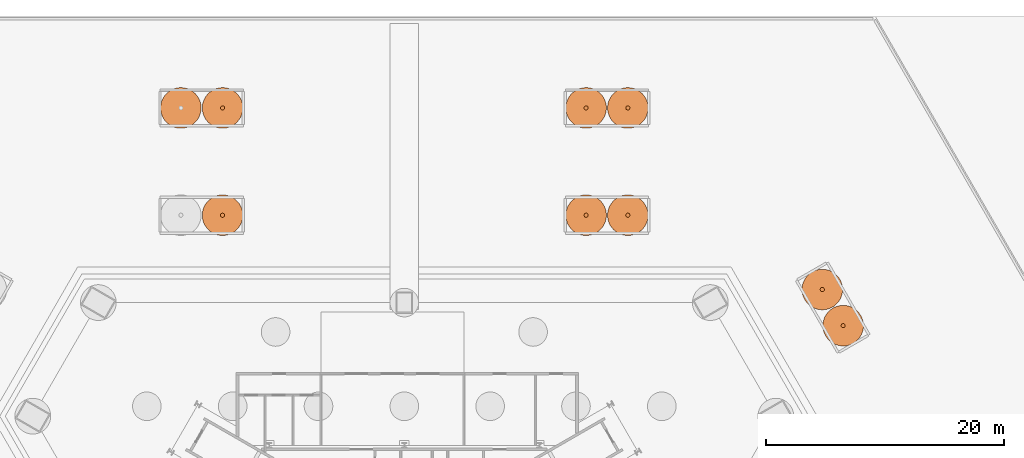
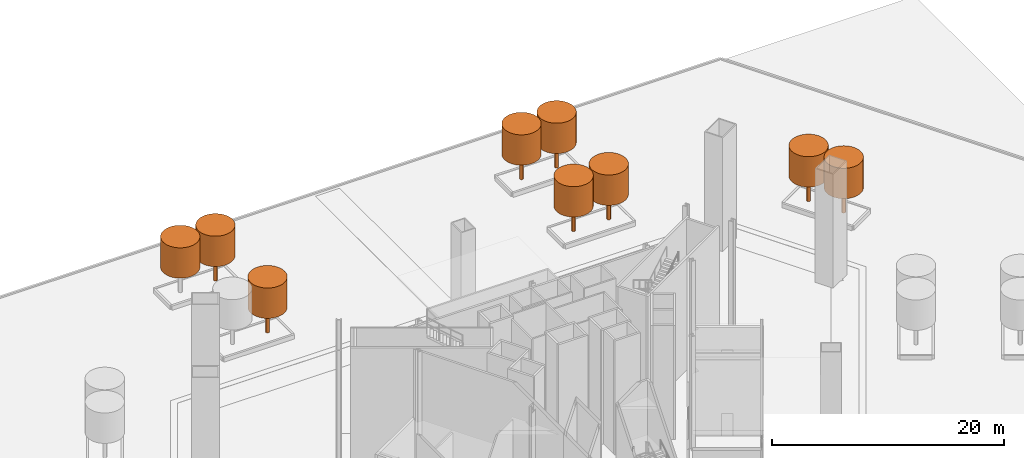
# One storey, part 22 of 22: 17 geographic elements.
"""IFC4 building model written with IfcOpenShell, lengths in metres."""

from ifc_helpers import new_model, si_unit, direction, frame, origin, origin_2d, place, context, subcontext, project, spatial, circle, extrude, element, save


model = new_model("IFC4")

# Units and contexts
model_context = context("Model", 3, precision=1e-05, world=origin(), true_north=direction((0.0, 1.0)))
body_context = subcontext(model_context, "Body", "Model", "MODEL_VIEW")
ifc_project = project(units=[si_unit("LENGTHUNIT", "METRE"), si_unit("AREAUNIT", "SQUARE_METRE"), si_unit("VOLUMEUNIT", "CUBIC_METRE"), si_unit("PLANEANGLEUNIT", "RADIAN"), si_unit("MASSUNIT", "GRAM", prefix="KILO")], contexts=[model_context])

# Site, building, storey
site_placement = place(None, origin())
site = spatial("IfcSite", under=ifc_project, at=site_placement, CompositionType="ELEMENT")
building_placement = place(site_placement, origin())
building = spatial("IfcBuilding", under=site, at=building_placement, Name="Verrane Prism Tower", CompositionType="ELEMENT")
storey_placement = place(building_placement, origin())
storey = spatial("IfcBuildingStorey", under=building, at=storey_placement, Name="L00", CompositionType="ELEMENT", Elevation=0.0)

# Geographic elements
geographic_element_1_placement = place(storey_placement, frame((18.75, 28.5, 3.199951171875), z_axis=(0.0, 0.0, -1.0), x_axis=(1.0, 0.0, 0.0)))
element("IfcGeographicElement", 1, at=geographic_element_1_placement, inside=storey, Name="Tree trunk 1.1", ObjectType="TREE TRUNK", PredefinedType="USERDEFINED", context=body_context, shape_type="SweptSolid", body=[
    extrude(circle(Radius=0.175048828125, at=origin_2d()), origin(), (0.0, 0.0, 1.0), 2.800048828125),
])
geographic_element_2_placement = place(storey_placement, frame((18.75, 28.5, 6.199951171875), z_axis=(0.0, 0.0, -1.0), x_axis=(1.0, 0.0, 0.0)))
element("IfcGeographicElement", 2, at=geographic_element_2_placement, inside=storey, Name="Tree crown 1.1", ObjectType="TREE CROWN", PredefinedType="USERDEFINED", context=body_context, shape_type="SweptSolid", body=[
    extrude(circle(Radius=1.699951171875, at=origin_2d()), origin(), (0.0, 0.0, 1.0), 3.199951171875),
])
geographic_element_3_placement = place(storey_placement, frame((15.25, 28.5, 3.199951171875), z_axis=(0.0, 0.0, -1.0), x_axis=(1.0, 0.0, 0.0)))
element("IfcGeographicElement", 3, at=geographic_element_3_placement, inside=storey, Name="Tree trunk 1.2", ObjectType="TREE TRUNK", PredefinedType="USERDEFINED", context=body_context, shape_type="SweptSolid", body=[
    extrude(circle(Radius=0.175048828125, at=origin_2d()), origin(), (0.0, 0.0, 1.0), 2.800048828125),
])
geographic_element_4_placement = place(storey_placement, frame((15.25, 28.5, 6.199951171875), z_axis=(0.0, 0.0, -1.0), x_axis=(1.0, 0.0, 0.0)))
element("IfcGeographicElement", 4, at=geographic_element_4_placement, inside=storey, Name="Tree crown 1.2", ObjectType="TREE CROWN", PredefinedType="USERDEFINED", context=body_context, shape_type="SweptSolid", body=[
    extrude(circle(Radius=1.699951171875, at=origin_2d()), origin(), (0.0, 0.0, 1.0), 3.199951171875),
])
geographic_element_5_placement = place(storey_placement, frame((-15.25, 28.5, 3.199951171875), z_axis=(0.0, 0.0, -1.0), x_axis=(1.0, 0.0, 0.0)))
element("IfcGeographicElement", 5, at=geographic_element_5_placement, inside=storey, Name="Tree trunk 2.1", ObjectType="TREE TRUNK", PredefinedType="USERDEFINED", context=body_context, shape_type="SweptSolid", body=[
    extrude(circle(Radius=0.175048828125, at=origin_2d()), origin(), (0.0, 0.0, 1.0), 2.800048828125),
])
geographic_element_6_placement = place(storey_placement, frame((-15.25, 28.5, 6.199951171875), z_axis=(0.0, 0.0, -1.0), x_axis=(1.0, 0.0, 0.0)))
element("IfcGeographicElement", 6, at=geographic_element_6_placement, inside=storey, Name="Tree crown 2.1", ObjectType="TREE CROWN", PredefinedType="USERDEFINED", context=body_context, shape_type="SweptSolid", body=[
    extrude(circle(Radius=1.699951171875, at=origin_2d()), origin(), (0.0, 0.0, 1.0), 3.199951171875),
])
geographic_element_7_placement = place(storey_placement, frame((18.75, 37.5, 3.199951171875), z_axis=(0.0, 0.0, -1.0), x_axis=(1.0, 0.0, 0.0)))
element("IfcGeographicElement", 7, at=geographic_element_7_placement, inside=storey, Name="Tree trunk 3.1", ObjectType="TREE TRUNK", PredefinedType="USERDEFINED", context=body_context, shape_type="SweptSolid", body=[
    extrude(circle(Radius=0.175048828125, at=origin_2d()), origin(), (0.0, 0.0, 1.0), 2.800048828125),
])
geographic_element_8_placement = place(storey_placement, frame((18.75, 37.5, 6.199951171875), z_axis=(0.0, 0.0, -1.0), x_axis=(1.0, 0.0, 0.0)))
element("IfcGeographicElement", 8, at=geographic_element_8_placement, inside=storey, Name="Tree crown 3.1", ObjectType="TREE CROWN", PredefinedType="USERDEFINED", context=body_context, shape_type="SweptSolid", body=[
    extrude(circle(Radius=1.699951171875, at=origin_2d()), origin(), (0.0, 0.0, 1.0), 3.199951171875),
])
geographic_element_9_placement = place(storey_placement, frame((15.25, 37.5, 3.199951171875), z_axis=(0.0, 0.0, -1.0), x_axis=(1.0, 0.0, 0.0)))
element("IfcGeographicElement", 9, at=geographic_element_9_placement, inside=storey, Name="Tree trunk 3.2", ObjectType="TREE TRUNK", PredefinedType="USERDEFINED", context=body_context, shape_type="SweptSolid", body=[
    extrude(circle(Radius=0.175048828125, at=origin_2d()), origin(), (0.0, 0.0, 1.0), 2.800048828125),
])
geographic_element_10_placement = place(storey_placement, frame((15.25, 37.5, 6.199951171875), z_axis=(0.0, 0.0, -1.0), x_axis=(1.0, 0.0, 0.0)))
element("IfcGeographicElement", 10, at=geographic_element_10_placement, inside=storey, Name="Tree crown 3.2", ObjectType="TREE CROWN", PredefinedType="USERDEFINED", context=body_context, shape_type="SweptSolid", body=[
    extrude(circle(Radius=1.699951171875, at=origin_2d()), origin(), (0.0, 0.0, 1.0), 3.199951171875),
])
geographic_element_11_placement = place(storey_placement, frame((-15.25, 37.5, 3.199951171875), z_axis=(0.0, 0.0, -1.0), x_axis=(1.0, 0.0, 0.0)))
element("IfcGeographicElement", 11, at=geographic_element_11_placement, inside=storey, Name="Tree trunk 4.1", ObjectType="TREE TRUNK", PredefinedType="USERDEFINED", context=body_context, shape_type="SweptSolid", body=[
    extrude(circle(Radius=0.175048828125, at=origin_2d()), origin(), (0.0, 0.0, 1.0), 2.800048828125),
])
for number, where, z_axis, x_axis, name in (
    (12, (-15.25, 37.5, 6.199951171875), (0.0, 0.0, -1.0), (1.0, 0.0, 0.0), "Tree crown 4.1"),
    (13, (-18.75, 37.5, 6.199951171875), (0.0, 0.0, -1.0), (1.0, 0.0, 0.0), "Tree crown 4.2"),
):
    element("IfcGeographicElement", number, at=place(storey_placement, frame(where, z_axis=z_axis, x_axis=x_axis)), inside=storey, Name=name, ObjectType="TREE CROWN", PredefinedType="USERDEFINED", context=body_context, shape_type="SweptSolid", body=[
        extrude(circle(Radius=1.699951171875, at=origin_2d()), origin(), (0.0, 0.0, 1.0), 3.199951171875),
    ])
geographic_element_12_placement = place(storey_placement, frame((36.81494140625, 19.234375, 3.199951171875), z_axis=(0.0, 0.0, -1.0), x_axis=(1.0, 0.0, 0.0)))
element("IfcGeographicElement", 14, at=geographic_element_12_placement, inside=storey, Name="Tree trunk 13.1", ObjectType="TREE TRUNK", PredefinedType="USERDEFINED", context=body_context, shape_type="SweptSolid", body=[
    extrude(circle(Radius=0.175048828125, at=origin_2d()), origin(), (0.0, 0.0, 1.0), 2.800048828125),
])
geographic_element_13_placement = place(storey_placement, frame((36.81494140625, 19.234375, 6.199951171875), z_axis=(0.0, 0.0, -1.0), x_axis=(1.0, 0.0, 0.0)))
element("IfcGeographicElement", 15, at=geographic_element_13_placement, inside=storey, Name="Tree crown 13.1", ObjectType="TREE CROWN", PredefinedType="USERDEFINED", context=body_context, shape_type="SweptSolid", body=[
    extrude(circle(Radius=1.699951171875, at=origin_2d()), origin(), (0.0, 0.0, 1.0), 3.199951171875),
])
geographic_element_14_placement = place(storey_placement, frame((35.06494140625, 22.265625, 3.199951171875), z_axis=(0.0, 0.0, -1.0), x_axis=(1.0, 0.0, 0.0)))
element("IfcGeographicElement", 16, at=geographic_element_14_placement, inside=storey, Name="Tree trunk 13.2", ObjectType="TREE TRUNK", PredefinedType="USERDEFINED", context=body_context, shape_type="SweptSolid", body=[
    extrude(circle(Radius=0.175048828125, at=origin_2d()), origin(), (0.0, 0.0, 1.0), 2.800048828125),
])
geographic_element_15_placement = place(storey_placement, frame((35.06494140625, 22.265625, 6.199951171875), z_axis=(0.0, 0.0, -1.0), x_axis=(1.0, 0.0, 0.0)))
element("IfcGeographicElement", 17, at=geographic_element_15_placement, inside=storey, Name="Tree crown 13.2", ObjectType="TREE CROWN", PredefinedType="USERDEFINED", context=body_context, shape_type="SweptSolid", body=[
    extrude(circle(Radius=1.699951171875, at=origin_2d()), origin(), (0.0, 0.0, 1.0), 3.199951171875),
])

save(model, "model.ifc")
